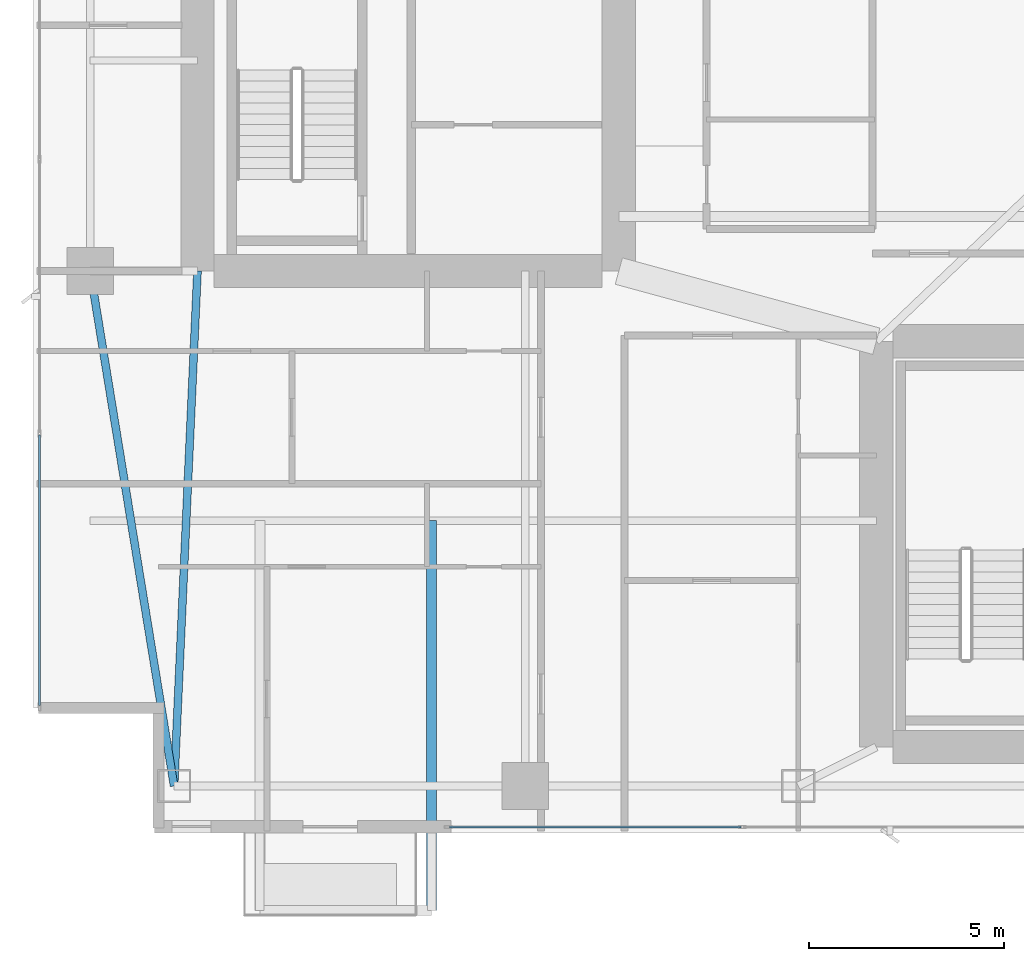
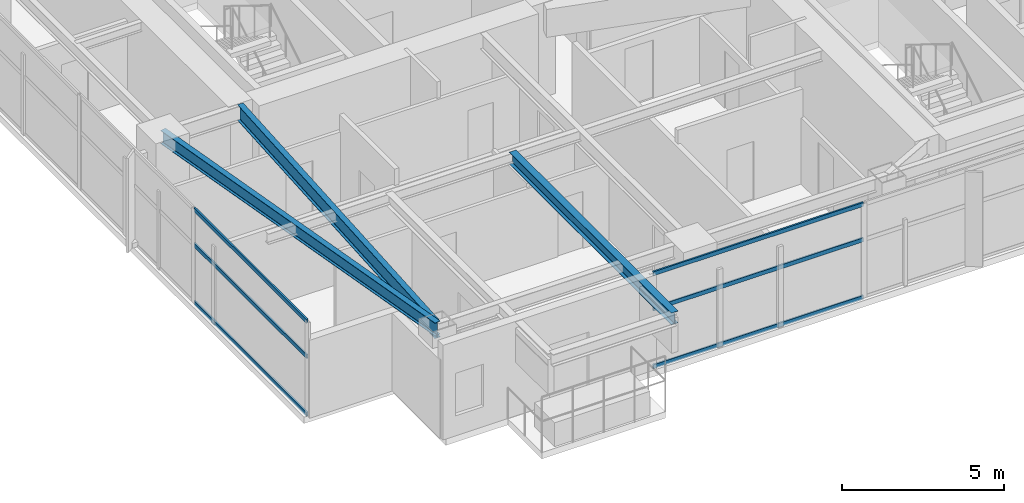
# One storey, part 3 of 29: 6 members, 3 beams, 2 elements without a shape of their own.
"""IFC4 building model written with IfcOpenShell, lengths in metres."""

from ifc_helpers import new_model, si_unit, direction, frame, origin, origin_2d, place, context, subcontext, project, spatial, hollow_rectangle, i_section, extrude, material, layer, layer_set, material_profile, profile_set, type_object, element, aggregate, save


model = new_model("IFC4")

# Units and contexts
model_context = context("Model", 3, precision=1e-05, world=origin(), true_north=direction((0.0, 1.0)))
body_context = subcontext(model_context, "Body", "Model", "MODEL_VIEW")
ifc_project = project(units=[si_unit("LENGTHUNIT", "METRE"), si_unit("AREAUNIT", "SQUARE_METRE"), si_unit("VOLUMEUNIT", "CUBIC_METRE"), si_unit("PLANEANGLEUNIT", "RADIAN"), si_unit("MASSUNIT", "GRAM", prefix="KILO")], contexts=[model_context])

# Site, building, storey
site_placement = place(None, origin())
site = spatial("IfcSite", under=ifc_project, at=site_placement, CompositionType="ELEMENT")
building_placement = place(site_placement, origin())
building = spatial("IfcBuilding", under=site, at=building_placement, Name="Calvorn Quay Hotel", CompositionType="ELEMENT")
storey_placement = place(building_placement, frame((0.0, 0.0, 171.300048828125)))
storey = spatial("IfcBuildingStorey", under=building, at=storey_placement, Name="L42", CompositionType="ELEMENT", Elevation=171.300048828125)

# Beams
ifc_material_1 = material(Name="Steel Q355B", Category="steel")
ifc_material_profile_1 = material_profile(ifc_material_1, i_section(OverallWidth=0.25, OverallDepth=0.449951171875, WebThickness=0.011962890625, FlangeThickness=0.01611328125, FilletRadius=0.01611328125, at=origin_2d()), Name="HN450x250x12x16")
ifc_profile_set_1 = profile_set([ifc_material_profile_1], Name="Steel Q355B")
beam_type_1 = type_object("IfcBeamType", Name="BM-CANT-BALC", PredefinedType="BEAM", material=ifc_profile_set_1)
beam_1_placement = place(storey_placement, frame((10.199951171875, 10.39990234375, 3.31494140625), z_axis=(0.0, -1.0, 0.0), x_axis=(1.0, 0.0, 0.0)))
element("IfcBeam", 1, at=beam_1_placement, inside=storey, type_object=beam_type_1, Name="Cantilever Balcony Beam BCB-L43-2B", PredefinedType="BEAM", context=body_context, shape_type="SweptSolid", body=[
    extrude(i_section(OverallWidth=0.25, OverallDepth=0.449951171875, WebThickness=0.011962890625, FlangeThickness=0.01611328125, FilletRadius=0.01611328125, at=origin_2d()), origin(), (0.0, 0.0, 1.0), 9.989990234375),
])
ifc_material_2 = material(Name="Steel Q355B", Category="steel")
ifc_material_profile_2 = material_profile(ifc_material_2, i_section(OverallWidth=0.199951171875, OverallDepth=0.60009765625, WebThickness=0.010986328125, FlangeThickness=0.01708984375, FilletRadius=0.01806640625, at=origin_2d()), Name="HN600x200x11x17")
ifc_profile_set_2 = profile_set([ifc_material_profile_2], Name="Steel Q355B")
beam_type_2 = type_object("IfcBeamType", Name="BM-GIRD-TYP", PredefinedType="BEAM", material=ifc_profile_set_2)
beam_2_placement = place(storey_placement, frame((3.60009765625, 3.60009765625, 3.239990234375), z_axis=(0.045396765494, 0.998969035397, 0.0), x_axis=(-0.998969035397, 0.045396765494, 0.0)))
element("IfcBeam", 2, at=beam_2_placement, inside=storey, type_object=beam_type_2, Name="Beam BG-L42-W0", PredefinedType="BEAM", context=body_context, shape_type="SweptSolid", body=[
    extrude(i_section(OverallWidth=0.199951171875, OverallDepth=0.60009765625, WebThickness=0.010986328125, FlangeThickness=0.01708984375, FilletRadius=0.01806640625, at=origin_2d()), origin(), (0.0, 0.0, 1.0), 13.213623046875),
])
ifc_material_3 = material(Name="Steel Q355B", Category="steel")
ifc_material_profile_3 = material_profile(ifc_material_3, i_section(OverallWidth=0.199951171875, OverallDepth=0.5, WebThickness=0.010009765625, FlangeThickness=0.01611328125, FilletRadius=0.01611328125, at=origin_2d()), Name="HN500x200x10x16")
ifc_profile_set_3 = profile_set([ifc_material_profile_3], Name="Steel Q355B")
beam_type_3 = type_object("IfcBeamType", Name="BM-SPANDREL-Z1", PredefinedType="SPANDREL", material=ifc_profile_set_3)
beam_3_placement = place(storey_placement, frame((3.60009765625, 3.60009765625, 3.2900390625), z_axis=(-0.16077155054, 0.986991645627, 0.0), x_axis=(-0.986991645627, -0.16077155054, 0.0)))
element("IfcBeam", 3, at=beam_3_placement, inside=storey, type_object=beam_type_3, Name="Beam BSP-L42-W1", PredefinedType="SPANDREL", context=body_context, shape_type="SweptSolid", body=[
    extrude(i_section(OverallWidth=0.199951171875, OverallDepth=0.5, WebThickness=0.010009765625, FlangeThickness=0.01611328125, FilletRadius=0.01611328125, at=origin_2d()), origin(), (0.0, 0.0, 1.0), 13.3740234375),
])

# Curtain wall, members
ifc_material_4 = material(Name="Pale Anodised Aluminium and Low-E Glass", Category="aluminium")
ifc_layer = layer(ifc_material_4, 0.219970703125)
ifc_layer_set = layer_set([ifc_layer], Name="CW-SYS-Z2")
curtain_wall_type = type_object("IfcCurtainWallType", Name="CW-SYS-Z2", PredefinedType="NOTDEFINED", material=ifc_layer_set)
curtain_wall_1_placement = place(storey_placement, origin())
curtain_wall_1 = element("IfcCurtainWall", 4, at=curtain_wall_1_placement, inside=storey, type_object=curtain_wall_type, Name="Tower West Curtain Wall (L42)", PredefinedType="NOTDEFINED")
ifc_material_5 = material(Name="Pale Anodised Aluminium 6063-T6", Category="aluminium")
ifc_material_profile_4 = material_profile(ifc_material_5, hollow_rectangle(XDim=0.06005859375, YDim=0.14990234375, WallThickness=0.00341796875, at=origin_2d()), Name="ALU-T150x60x3.5")
ifc_profile_set_4 = profile_set([ifc_material_profile_4], Name="Pale Anodised Aluminium 6063-T6")
member_type = type_object("IfcMemberType", Name="CW-SYS-Z2-TRN", PredefinedType="USERDEFINED", material=ifc_profile_set_4)
member_1_placement = place(storey_placement, frame((0.14990234375, 5.659912109375, 0.030029296875), z_axis=(0.0, 1.0, 0.0), x_axis=(-1.0, 0.0, 0.0)))
member_1 = element("IfcMember", 5, at=member_1_placement, type_object=member_type, Name="CW-L42-W transom 1.1", ObjectType="TRANSOM", PredefinedType="USERDEFINED", context=body_context, shape_type="SweptSolid", body=[
    extrude(hollow_rectangle(XDim=0.06005859375, YDim=0.14990234375, WallThickness=0.00341796875, at=origin_2d()), origin(), (0.0, 0.0, 1.0), 6.943359375),
])
member_2_placement = place(storey_placement, frame((0.14990234375, 5.659912109375, 2.199951171875), z_axis=(0.0, 1.0, 0.0), x_axis=(-1.0, 0.0, 0.0)))
member_2 = element("IfcMember", 6, at=member_2_placement, type_object=member_type, Name="CW-L42-W transom 1.2", ObjectType="TRANSOM", PredefinedType="USERDEFINED", context=body_context, shape_type="SweptSolid", body=[
    extrude(hollow_rectangle(XDim=0.06005859375, YDim=0.14990234375, WallThickness=0.00341796875, at=origin_2d()), origin(), (0.0, 0.0, 1.0), 6.943359375),
])
member_3_placement = place(storey_placement, frame((0.14990234375, 5.659912109375, 3.530029296875), z_axis=(0.0, 1.0, 0.0), x_axis=(-1.0, 0.0, 0.0)))
member_3 = element("IfcMember", 7, at=member_3_placement, type_object=member_type, Name="CW-L42-W transom 1.3", ObjectType="TRANSOM", PredefinedType="USERDEFINED", context=body_context, shape_type="SweptSolid", body=[
    extrude(hollow_rectangle(XDim=0.06005859375, YDim=0.14990234375, WallThickness=0.00341796875, at=origin_2d()), origin(), (0.0, 0.0, 1.0), 6.943359375),
])
aggregate(curtain_wall_1, [member_1, member_2, member_3])

curtain_wall_2_placement = place(storey_placement, origin())
curtain_wall_2 = element("IfcCurtainWall", 8, at=curtain_wall_2_placement, inside=storey, type_object=curtain_wall_type, Name="Tower South Waterfront Curtain Wall (L42)", PredefinedType="NOTDEFINED")
member_4_placement = place(storey_placement, frame((10.659912109375, 2.550048828125, 0.030029296875), z_axis=(1.0, 0.0, 0.0), x_axis=(0.0, 1.0, 0.0)))
member_4 = element("IfcMember", 9, at=member_4_placement, type_object=member_type, Name="CW-L42-S transom 1.1", ObjectType="TRANSOM", PredefinedType="USERDEFINED", context=body_context, shape_type="SweptSolid", body=[
    extrude(hollow_rectangle(XDim=0.06005859375, YDim=0.14990234375, WallThickness=0.00341796875, at=origin_2d()), origin(), (0.0, 0.0, 1.0), 7.476806640625),
])
member_5_placement = place(storey_placement, frame((10.659912109375, 2.550048828125, 2.199951171875), z_axis=(1.0, 0.0, 0.0), x_axis=(0.0, 1.0, 0.0)))
member_5 = element("IfcMember", 10, at=member_5_placement, type_object=member_type, Name="CW-L42-S transom 1.2", ObjectType="TRANSOM", PredefinedType="USERDEFINED", context=body_context, shape_type="SweptSolid", body=[
    extrude(hollow_rectangle(XDim=0.06005859375, YDim=0.14990234375, WallThickness=0.00341796875, at=origin_2d()), origin(), (0.0, 0.0, 1.0), 7.476806640625),
])
member_6_placement = place(storey_placement, frame((10.659912109375, 2.550048828125, 3.530029296875), z_axis=(1.0, 0.0, 0.0), x_axis=(0.0, 1.0, 0.0)))
member_6 = element("IfcMember", 11, at=member_6_placement, type_object=member_type, Name="CW-L42-S transom 1.3", ObjectType="TRANSOM", PredefinedType="USERDEFINED", context=body_context, shape_type="SweptSolid", body=[
    extrude(hollow_rectangle(XDim=0.06005859375, YDim=0.14990234375, WallThickness=0.00341796875, at=origin_2d()), origin(), (0.0, 0.0, 1.0), 7.476806640625),
])
aggregate(curtain_wall_2, [member_4, member_5, member_6])

save(model, "model.ifc")
